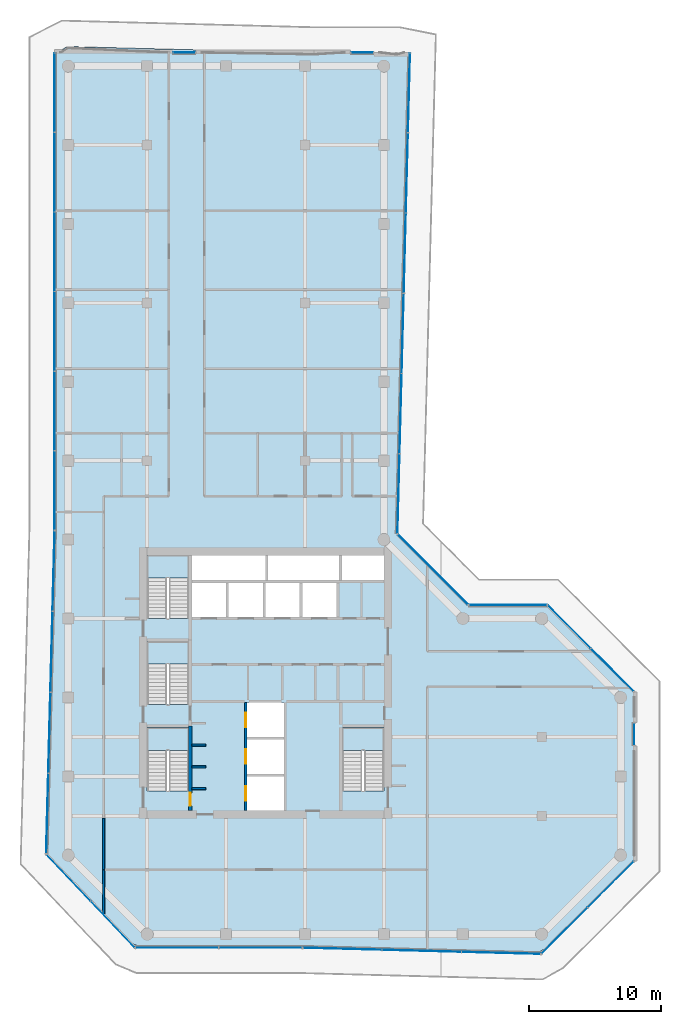
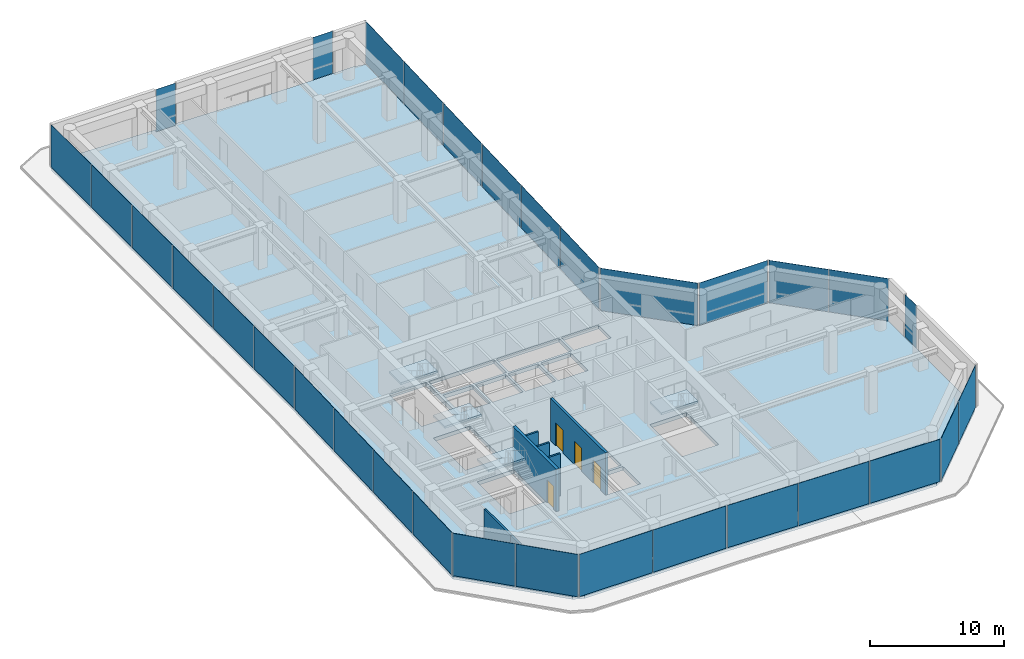
# One storey, part 14 of 19: 32 plates, 7 walls, 5 slabs, 4 doors, 4 openings, 17 elements without a shape of their own.
"""IFC4 building model written with IfcOpenShell, lengths in metres."""

from ifc_helpers import new_model, si_unit, direction, frame, frame_2d, origin, origin_2d, place, context, subcontext, project, spatial, polyline, rectangle, outline, extrude, material, layer, layer_set, type_object, element, fill, aggregate, save


model = new_model("IFC4")

# Units and contexts
model_context = context("Model", 3, precision=1e-05, world=origin(), true_north=direction((0.0, 1.0)))
body_context = subcontext(model_context, "Body", "Model", "MODEL_VIEW")
ifc_project = project(units=[si_unit("LENGTHUNIT", "METRE"), si_unit("AREAUNIT", "SQUARE_METRE"), si_unit("VOLUMEUNIT", "CUBIC_METRE"), si_unit("PLANEANGLEUNIT", "RADIAN"), si_unit("MASSUNIT", "GRAM", prefix="KILO")], contexts=[model_context])

# Site, building, storey
site_placement = place(None, origin())
site = spatial("IfcSite", under=ifc_project, at=site_placement, CompositionType="ELEMENT")
building_placement = place(site_placement, origin())
building = spatial("IfcBuilding", under=site, at=building_placement, Name="Welwitschia Terrace Campus", CompositionType="ELEMENT")
storey_placement = place(building_placement, frame((0.0, 0.0, 163.39990234375)))
storey = spatial("IfcBuildingStorey", under=building, at=storey_placement, Name="L36", CompositionType="ELEMENT", Elevation=163.39990234375)

# Curtain wall, plates
ifc_material_1 = material(Name="Bronze anodised aluminium", Category="aluminium")
ifc_layer_1 = layer(ifc_material_1, 0.1201171875)
ifc_layer_set_1 = layer_set([ifc_layer_1], Name="Bronze anodised aluminium")
curtain_wall_type = type_object("IfcCurtainWallType", Name="Curtain wall CW2 tower 6000", PredefinedType="NOTDEFINED", material=ifc_layer_set_1)
curtain_wall_1_placement = place(storey_placement, origin())
curtain_wall_1 = element("IfcCurtainWall", 1, at=curtain_wall_1_placement, inside=storey, type_object=curtain_wall_type, Name="CW L36.0.0", PredefinedType="NOTDEFINED")
ifc_material_2 = material(Name="Tinted bronze-grey glass", Category="glass")
ifc_layer_2 = layer(ifc_material_2, 0.028076171875)
ifc_layer_set_2 = layer_set([ifc_layer_2], Name="Tinted bronze-grey glass")
plate_type = type_object("IfcPlateType", Name="Glass panel 28 tinted", PredefinedType="CURTAIN_PANEL", material=ifc_layer_set_2)
plate_1_placement = place(storey_placement, frame((-1.030029296875, 59.97705078125, 0.0), z_axis=(0.0, 0.0, 1.0), x_axis=(0.0, -1.0, 0.0)))
plate_1 = element("IfcPlate", 2, at=plate_1_placement, type_object=plate_type, Name="Panel L36.0.0.0", PredefinedType="CURTAIN_PANEL", context=body_context, shape_type="SweptSolid", body=[
    extrude(rectangle(XDim=5.962890625, YDim=0.028076171875, at=origin_2d()), origin(), (0.0, 0.0, 1.0), 3.85009765625),
])
plate_2_placement = place(storey_placement, frame((-1.030029296875, 53.93896484375, 0.0), z_axis=(0.0, 0.0, 1.0), x_axis=(0.0, -1.0, 0.0)))
plate_2 = element("IfcPlate", 3, at=plate_2_placement, type_object=plate_type, Name="Panel L36.0.0.1", PredefinedType="CURTAIN_PANEL", context=body_context, shape_type="SweptSolid", body=[
    extrude(rectangle(XDim=5.992919921875, YDim=0.028076171875, at=origin_2d()), origin(), (0.0, 0.0, 1.0), 3.85009765625),
])
plate_3_placement = place(storey_placement, frame((-1.030029296875, 47.88623046875, 0.0), z_axis=(0.0, 0.0, 1.0), x_axis=(0.0, -1.0, 0.0)))
plate_3 = element("IfcPlate", 4, at=plate_3_placement, type_object=plate_type, Name="Panel L36.0.0.2", PredefinedType="CURTAIN_PANEL", context=body_context, shape_type="SweptSolid", body=[
    extrude(rectangle(XDim=5.992919921875, YDim=0.028076171875, at=origin_2d()), origin(), (0.0, 0.0, 1.0), 3.85009765625),
])
plate_4_placement = place(storey_placement, frame((-1.030029296875, 41.833251953125, 0.0), z_axis=(0.0, 0.0, 1.0), x_axis=(0.0, -1.0, 0.0)))
plate_4 = element("IfcPlate", 5, at=plate_4_placement, type_object=plate_type, Name="Panel L36.0.0.3", PredefinedType="CURTAIN_PANEL", context=body_context, shape_type="SweptSolid", body=[
    extrude(rectangle(XDim=5.992919921875, YDim=0.028076171875, at=origin_2d()), origin(), (0.0, 0.0, 1.0), 3.85009765625),
])
plate_5_placement = place(storey_placement, frame((-1.030029296875, 35.780517578125, 0.0), z_axis=(0.0, 0.0, 1.0), x_axis=(0.0, -1.0, 0.0)))
plate_5 = element("IfcPlate", 6, at=plate_5_placement, type_object=plate_type, Name="Panel L36.0.0.4", PredefinedType="CURTAIN_PANEL", context=body_context, shape_type="SweptSolid", body=[
    extrude(rectangle(XDim=5.992919921875, YDim=0.028076171875, at=origin_2d()), origin(), (0.0, 0.0, 1.0), 3.85009765625),
])
plate_6_placement = place(storey_placement, frame((-1.030029296875, 29.74267578125, 0.0), z_axis=(0.0, 0.0, 1.0), x_axis=(0.0, -1.0, 0.0)))
plate_6 = element("IfcPlate", 7, at=plate_6_placement, type_object=plate_type, Name="Panel L36.0.0.5", PredefinedType="CURTAIN_PANEL", context=body_context, shape_type="SweptSolid", body=[
    extrude(rectangle(XDim=5.962890625, YDim=0.028076171875, at=origin_2d()), origin(), (0.0, 0.0, 1.0), 3.85009765625),
])
aggregate(curtain_wall_1, [plate_1, plate_2, plate_3, plate_4, plate_5, plate_6])

curtain_wall_2_placement = place(storey_placement, origin())
curtain_wall_2 = element("IfcCurtainWall", 8, at=curtain_wall_2_placement, inside=storey, type_object=curtain_wall_type, Name="CW L36.1.0", PredefinedType="NOTDEFINED")
plate_7_placement = place(storey_placement, frame((-1.111083984375, 23.609130859375, 0.0), z_axis=(0.0, 0.0, 1.0), x_axis=(-0.026176948308, -0.999657324976, 0.0)))
plate_7 = element("IfcPlate", 9, at=plate_7_placement, type_object=plate_type, Name="Panel L36.1.0.0", PredefinedType="CURTAIN_PANEL", context=body_context, shape_type="SweptSolid", body=[
    extrude(rectangle(XDim=6.06591796875, YDim=0.028076171875, at=origin_2d()), origin(), (0.0, 0.0, 1.0), 3.85009765625),
])
plate_8_placement = place(storey_placement, frame((-1.271728515625, 17.47021484375, 0.0), z_axis=(0.0, 0.0, 1.0), x_axis=(-0.026176948308, -0.999657324976, 0.0)))
plate_8 = element("IfcPlate", 10, at=plate_8_placement, type_object=plate_type, Name="Panel L36.1.0.1", PredefinedType="CURTAIN_PANEL", context=body_context, shape_type="SweptSolid", body=[
    extrude(rectangle(XDim=6.095947265625, YDim=0.028076171875, at=origin_2d()), origin(), (0.0, 0.0, 1.0), 3.85009765625),
])
plate_9_placement = place(storey_placement, frame((-1.432861328125, 11.31640625, 0.0), z_axis=(0.0, 0.0, 1.0), x_axis=(-0.026176948308, -0.999657324976, 0.0)))
plate_9 = element("IfcPlate", 11, at=plate_9_placement, type_object=plate_type, Name="Panel L36.1.0.2", PredefinedType="CURTAIN_PANEL", context=body_context, shape_type="SweptSolid", body=[
    extrude(rectangle(XDim=6.095947265625, YDim=0.028076171875, at=origin_2d()), origin(), (0.0, 0.0, 1.0), 3.85009765625),
])
plate_10_placement = place(storey_placement, frame((-1.593505859375, 5.177490234375, 0.0), z_axis=(0.0, 0.0, 1.0), x_axis=(-0.026176948308, -0.999657324976, 0.0)))
plate_10 = element("IfcPlate", 12, at=plate_10_placement, type_object=plate_type, Name="Panel L36.1.0.3", PredefinedType="CURTAIN_PANEL", context=body_context, shape_type="SweptSolid", body=[
    extrude(rectangle(XDim=6.06591796875, YDim=0.028076171875, at=origin_2d()), origin(), (0.0, 0.0, 1.0), 3.85009765625),
])
aggregate(curtain_wall_2, [plate_7, plate_8, plate_9, plate_10])

curtain_wall_3_placement = place(storey_placement, origin())
curtain_wall_3 = element("IfcCurtainWall", 13, at=curtain_wall_3_placement, inside=storey, type_object=curtain_wall_type, Name="CW L36.2.0", PredefinedType="NOTDEFINED")
plate_11_placement = place(storey_placement, frame((0.02392578125, 0.2958984375, 0.0), z_axis=(0.0, 0.0, 1.0), x_axis=(0.688354575694, -0.725374371012, 0.0)))
plate_11 = element("IfcPlate", 14, at=plate_11_placement, type_object=plate_type, Name="Panel L36.2.0.0", PredefinedType="CURTAIN_PANEL", context=body_context, shape_type="SweptSolid", body=[
    extrude(rectangle(XDim=4.814697265625, YDim=0.028076171875, at=origin_2d()), origin(), (0.0, 0.0, 1.0), 3.85009765625),
])
plate_12_placement = place(storey_placement, frame((3.37939453125, -3.240234375, 0.0), z_axis=(0.0, 0.0, 1.0), x_axis=(0.688354575694, -0.725374371012, 0.0)))
plate_12 = element("IfcPlate", 15, at=plate_12_placement, type_object=plate_type, Name="Panel L36.2.0.1", PredefinedType="CURTAIN_PANEL", context=body_context, shape_type="SweptSolid", body=[
    extrude(rectangle(XDim=4.814697265625, YDim=0.028076171875, at=origin_2d()), origin(), (0.0, 0.0, 1.0), 3.85009765625),
])
aggregate(curtain_wall_3, [plate_11, plate_12])

curtain_wall_4_placement = place(storey_placement, origin())
curtain_wall_4 = element("IfcCurtainWall", 16, at=curtain_wall_4_placement, inside=storey, type_object=curtain_wall_type, Name="CW L36.3.0", PredefinedType="NOTDEFINED")
plate_13_placement = place(storey_placement, frame((8.27392578125, -5.030029296875, 0.0), z_axis=(0.0, 0.0, 1.0), x_axis=(1.0, 0.0, 0.0)))
plate_13 = element("IfcPlate", 17, at=plate_13_placement, type_object=plate_type, Name="Panel L36.3.0.0", PredefinedType="CURTAIN_PANEL", context=body_context, shape_type="SweptSolid", body=[
    extrude(rectangle(XDim=6.27197265625, YDim=0.028076171875, at=origin_2d()), origin(), (0.0, 0.0, 1.0), 3.85009765625),
])
plate_14_placement = place(storey_placement, frame((14.60595703125, -5.030029296875, 0.0), z_axis=(0.0, 0.0, 1.0), x_axis=(1.0, 0.0, 0.0)))
plate_14 = element("IfcPlate", 18, at=plate_14_placement, type_object=plate_type, Name="Panel L36.3.0.1", PredefinedType="CURTAIN_PANEL", context=body_context, shape_type="SweptSolid", body=[
    extrude(rectangle(XDim=6.27197265625, YDim=0.028076171875, at=origin_2d()), origin(), (0.0, 0.0, 1.0), 3.85009765625),
])
aggregate(curtain_wall_4, [plate_13, plate_14])

curtain_wall_5_placement = place(storey_placement, origin())
curtain_wall_5 = element("IfcCurtainWall", 19, at=curtain_wall_5_placement, inside=storey, type_object=curtain_wall_type, Name="CW L36.4.0", PredefinedType="NOTDEFINED")
plate_15_placement = place(storey_placement, frame((20.841796875, -5.109619140625, 0.0), z_axis=(0.0, 0.0, 1.0), x_axis=(0.999657324976, -0.026176948308, 0.0)))
plate_15 = element("IfcPlate", 20, at=plate_15_placement, type_object=plate_type, Name="Panel L36.4.0.0", PredefinedType="CURTAIN_PANEL", context=body_context, shape_type="SweptSolid", body=[
    extrude(rectangle(XDim=5.9619140625, YDim=0.028076171875, at=origin_2d()), origin(), (0.0, 0.0, 1.0), 3.85009765625),
])
plate_16_placement = place(storey_placement, frame((26.876708984375, -5.267578125, 0.0), z_axis=(0.0, 0.0, 1.0), x_axis=(0.999657324976, -0.026176948308, 0.0)))
plate_16 = element("IfcPlate", 21, at=plate_16_placement, type_object=plate_type, Name="Panel L36.4.0.1", PredefinedType="CURTAIN_PANEL", context=body_context, shape_type="SweptSolid", body=[
    extrude(rectangle(XDim=5.991943359375, YDim=0.028076171875, at=origin_2d()), origin(), (0.0, 0.0, 1.0), 3.85009765625),
])
plate_17_placement = place(storey_placement, frame((32.911376953125, -5.425537109375, 0.0), z_axis=(0.0, 0.0, 1.0), x_axis=(0.999657324976, -0.026176948308, 0.0)))
plate_17 = element("IfcPlate", 22, at=plate_17_placement, type_object=plate_type, Name="Panel L36.4.0.2", PredefinedType="CURTAIN_PANEL", context=body_context, shape_type="SweptSolid", body=[
    extrude(rectangle(XDim=5.9619140625, YDim=0.028076171875, at=origin_2d()), origin(), (0.0, 0.0, 1.0), 3.85009765625),
])
aggregate(curtain_wall_5, [plate_15, plate_16, plate_17])

curtain_wall_6_placement = place(storey_placement, origin())
curtain_wall_6 = element("IfcCurtainWall", 23, at=curtain_wall_6_placement, inside=storey, type_object=curtain_wall_type, Name="CW L36.5.0", PredefinedType="NOTDEFINED")
plate_18_placement = place(storey_placement, frame((37.731689453125, -3.72509765625, 0.0), z_axis=(0.0, 0.0, 1.0), x_axis=(0.707106781187, 0.707106781187, 0.0)))
plate_18 = element("IfcPlate", 24, at=plate_18_placement, type_object=plate_type, Name="Panel L36.5.0.0", PredefinedType="CURTAIN_PANEL", context=body_context, shape_type="SweptSolid", body=[
    extrude(rectangle(XDim=4.915283203125, YDim=0.028076171875, at=origin_2d()), origin(), (0.0, 0.0, 1.0), 3.85009765625),
])
plate_19_placement = place(storey_placement, frame((41.249755859375, -0.206787109375, 0.0), z_axis=(0.0, 0.0, 1.0), x_axis=(0.707106781187, 0.707106781187, 0.0)))
plate_19 = element("IfcPlate", 25, at=plate_19_placement, type_object=plate_type, Name="Panel L36.5.0.1", PredefinedType="CURTAIN_PANEL", context=body_context, shape_type="SweptSolid", body=[
    extrude(rectangle(XDim=4.915283203125, YDim=0.028076171875, at=origin_2d()), origin(), (0.0, 0.0, 1.0), 3.85009765625),
])
aggregate(curtain_wall_6, [plate_18, plate_19])

# Curtain wall, plate
curtain_wall_7_placement = place(storey_placement, origin())
curtain_wall_7 = element("IfcCurtainWall", 26, at=curtain_wall_7_placement, inside=storey, type_object=curtain_wall_type, Name="CW L36.6.S0", PredefinedType="NOTDEFINED")
plate_20_placement = place(storey_placement, frame((43.030029296875, 11.21337890625, 0.0), z_axis=(0.0, 0.0, 1.0), x_axis=(0.0, 1.0, 0.0)))
plate_20 = element("IfcPlate", 27, at=plate_20_placement, type_object=plate_type, Name="Panel L36.6.S0.0", PredefinedType="CURTAIN_PANEL", context=body_context, shape_type="SweptSolid", body=[
    extrude(rectangle(XDim=1.679931640625, YDim=0.028076171875, at=origin_2d()), origin(), (0.0, 0.0, 1.0), 3.85009765625),
])
aggregate(curtain_wall_7, [plate_20])

# Curtain wall, plates
curtain_wall_8_placement = place(storey_placement, origin())
curtain_wall_8 = element("IfcCurtainWall", 28, at=curtain_wall_8_placement, inside=storey, type_object=curtain_wall_type, Name="CW L36.7.0", PredefinedType="NOTDEFINED")
plate_21_placement = place(storey_placement, frame((41.36865234375, 16.088134765625, 0.0), z_axis=(0.0, 0.0, 1.0), x_axis=(-0.707106781187, 0.707106781187, 0.0)))
plate_21 = element("IfcPlate", 29, at=plate_21_placement, type_object=plate_type, Name="Panel L36.7.0.0", PredefinedType="CURTAIN_PANEL", context=body_context, shape_type="SweptSolid", body=[
    extrude(rectangle(XDim=4.579345703125, YDim=0.028076171875, at=origin_2d()), origin(), (0.0, 0.0, 1.0), 3.85009765625),
])
plate_22_placement = place(storey_placement, frame((38.088134765625, 19.36865234375, 0.0), z_axis=(0.0, 0.0, 1.0), x_axis=(-0.707106781187, 0.707106781187, 0.0)))
plate_22 = element("IfcPlate", 30, at=plate_22_placement, type_object=plate_type, Name="Panel L36.7.0.1", PredefinedType="CURTAIN_PANEL", context=body_context, shape_type="SweptSolid", body=[
    extrude(rectangle(XDim=4.579345703125, YDim=0.028076171875, at=origin_2d()), origin(), (0.0, 0.0, 1.0), 3.85009765625),
])
aggregate(curtain_wall_8, [plate_21, plate_22])

# Curtain wall, plate
curtain_wall_9_placement = place(storey_placement, origin())
curtain_wall_9 = element("IfcCurtainWall", 31, at=curtain_wall_9_placement, inside=storey, type_object=curtain_wall_type, Name="CW L36.8.0", PredefinedType="NOTDEFINED")
plate_23_placement = place(storey_placement, frame((33.4267578125, 21.030029296875, 0.0), z_axis=(0.0, 0.0, 1.0), x_axis=(-1.0, 0.0, 0.0)))
plate_23 = element("IfcPlate", 32, at=plate_23_placement, type_object=plate_type, Name="Panel L36.8.0.0", PredefinedType="CURTAIN_PANEL", context=body_context, shape_type="SweptSolid", body=[
    extrude(rectangle(XDim=5.8798828125, YDim=0.028076171875, at=origin_2d()), origin(), (0.0, 0.0, 1.0), 3.85009765625),
])
aggregate(curtain_wall_9, [plate_23])

curtain_wall_10_placement = place(storey_placement, origin())
curtain_wall_10 = element("IfcCurtainWall", 33, at=curtain_wall_10_placement, inside=storey, type_object=curtain_wall_type, Name="CW L36.9.0", PredefinedType="NOTDEFINED")
plate_24_placement = place(storey_placement, frame((27.729248046875, 23.7275390625, 0.0), z_axis=(0.0, 0.0, 1.0), x_axis=(-0.707106781187, 0.707106781187, 0.0)))
plate_24 = element("IfcPlate", 34, at=plate_24_placement, type_object=plate_type, Name="Panel L36.9.0.0", PredefinedType="CURTAIN_PANEL", context=body_context, shape_type="SweptSolid", body=[
    extrude(rectangle(XDim=7.509521484375, YDim=0.028076171875, at=origin_2d()), origin(), (0.0, 0.0, 1.0), 3.85009765625),
])
aggregate(curtain_wall_10, [plate_24])

# Curtain wall, plates
curtain_wall_11_placement = place(storey_placement, origin())
curtain_wall_11 = element("IfcCurtainWall", 35, at=curtain_wall_11_placement, inside=storey, type_object=curtain_wall_type, Name="CW L36.10.0", PredefinedType="NOTDEFINED")
plate_25_placement = place(storey_placement, frame((25.112060546875, 29.490234375, 0.0), z_axis=(0.0, 0.0, 1.0), x_axis=(0.026176948308, 0.999657324976, 0.0)))
plate_25 = element("IfcPlate", 36, at=plate_25_placement, type_object=plate_type, Name="Panel L36.10.0.0", PredefinedType="CURTAIN_PANEL", context=body_context, shape_type="SweptSolid", body=[
    extrude(rectangle(XDim=6.012939453125, YDim=0.028076171875, at=origin_2d()), origin(), (0.0, 0.0, 1.0), 3.85009765625),
])
plate_26_placement = place(storey_placement, frame((25.271240234375, 35.576171875, 0.0), z_axis=(0.0, 0.0, 1.0), x_axis=(0.026176948308, 0.999657324976, 0.0)))
plate_26 = element("IfcPlate", 37, at=plate_26_placement, type_object=plate_type, Name="Panel L36.10.0.1", PredefinedType="CURTAIN_PANEL", context=body_context, shape_type="SweptSolid", body=[
    extrude(rectangle(XDim=6.04296875, YDim=0.028076171875, at=origin_2d()), origin(), (0.0, 0.0, 1.0), 3.85009765625),
])
plate_27_placement = place(storey_placement, frame((25.43115234375, 41.677001953125, 0.0), z_axis=(0.0, 0.0, 1.0), x_axis=(0.026176948308, 0.999657324976, 0.0)))
plate_27 = element("IfcPlate", 38, at=plate_27_placement, type_object=plate_type, Name="Panel L36.10.0.2", PredefinedType="CURTAIN_PANEL", context=body_context, shape_type="SweptSolid", body=[
    extrude(rectangle(XDim=6.04296875, YDim=0.028076171875, at=origin_2d()), origin(), (0.0, 0.0, 1.0), 3.85009765625),
])
plate_28_placement = place(storey_placement, frame((25.5908203125, 47.77783203125, 0.0), z_axis=(0.0, 0.0, 1.0), x_axis=(0.026176948308, 0.999657324976, 0.0)))
plate_28 = element("IfcPlate", 39, at=plate_28_placement, type_object=plate_type, Name="Panel L36.10.0.3", PredefinedType="CURTAIN_PANEL", context=body_context, shape_type="SweptSolid", body=[
    extrude(rectangle(XDim=6.04296875, YDim=0.028076171875, at=origin_2d()), origin(), (0.0, 0.0, 1.0), 3.85009765625),
])
plate_29_placement = place(storey_placement, frame((25.75048828125, 53.878662109375, 0.0), z_axis=(0.0, 0.0, 1.0), x_axis=(0.026176948308, 0.999657324976, 0.0)))
plate_29 = element("IfcPlate", 40, at=plate_29_placement, type_object=plate_type, Name="Panel L36.10.0.4", PredefinedType="CURTAIN_PANEL", context=body_context, shape_type="SweptSolid", body=[
    extrude(rectangle(XDim=6.04296875, YDim=0.028076171875, at=origin_2d()), origin(), (0.0, 0.0, 1.0), 3.85009765625),
])
plate_30_placement = place(storey_placement, frame((25.909912109375, 59.964599609375, 0.0), z_axis=(0.0, 0.0, 1.0), x_axis=(0.026176948308, 0.999657324976, 0.0)))
plate_30 = element("IfcPlate", 41, at=plate_30_placement, type_object=plate_type, Name="Panel L36.10.0.5", PredefinedType="CURTAIN_PANEL", context=body_context, shape_type="SweptSolid", body=[
    extrude(rectangle(XDim=6.012939453125, YDim=0.028076171875, at=origin_2d()), origin(), (0.0, 0.0, 1.0), 3.85009765625),
])
aggregate(curtain_wall_11, [plate_25, plate_26, plate_27, plate_28, plate_29, plate_30])

# Curtain wall, plate
curtain_wall_12_placement = place(storey_placement, origin())
curtain_wall_12 = element("IfcCurtainWall", 42, at=curtain_wall_12_placement, inside=storey, type_object=curtain_wall_type, Name="CW L36.11.S0", PredefinedType="NOTDEFINED")
plate_31_placement = place(storey_placement, frame((22.341552734375, 63.030029296875, 0.0), z_axis=(0.0, 0.0, 1.0), x_axis=(-1.0, 0.0, 0.0)))
plate_31 = element("IfcPlate", 43, at=plate_31_placement, type_object=plate_type, Name="Panel L36.11.S0.0", PredefinedType="CURTAIN_PANEL", context=body_context, shape_type="SweptSolid", body=[
    extrude(rectangle(XDim=1.679931640625, YDim=0.028076171875, at=origin_2d()), origin(), (0.0, 0.0, 1.0), 3.85009765625),
])
aggregate(curtain_wall_12, [plate_31])

curtain_wall_13_placement = place(storey_placement, origin())
curtain_wall_13 = element("IfcCurtainWall", 44, at=curtain_wall_13_placement, inside=storey, type_object=curtain_wall_type, Name="CW L36.12.S0", PredefinedType="NOTDEFINED")
plate_32_placement = place(storey_placement, frame((8.83154296875, 63.024169921875, 0.0), z_axis=(0.0, 0.0, 1.0), x_axis=(-0.999999826779, -0.000588593302, 0.0)))
plate_32 = element("IfcPlate", 45, at=plate_32_placement, type_object=plate_type, Name="Panel L36.12.S0.0", PredefinedType="CURTAIN_PANEL", context=body_context, shape_type="SweptSolid", body=[
    extrude(rectangle(XDim=1.679931640625, YDim=0.028076171875, at=origin_2d()), origin(), (0.0, 0.0, 1.0), 3.85009765625),
])
aggregate(curtain_wall_13, [plate_32])

# Stair, slab
ifc_material_3 = material(Name="Concrete C40/50", Category="concrete")
stair_type = type_object("IfcStairType", Name="Stair 24R 175 W1500", PredefinedType="HALF_TURN_STAIR", material=ifc_material_3)
stair_1_placement = place(storey_placement, origin())
stair_1 = element("IfcStair", 46, at=stair_1_placement, inside=storey, type_object=stair_type, Name="L36 Exit stair S1", PredefinedType="HALF_TURN_STAIR")
ifc_material_4 = material(Name="Concrete C40/50", Category="concrete")
ifc_layer_3 = layer(ifc_material_4, 0.199951171875)
ifc_layer_set_3 = layer_set([ifc_layer_3], Name="Concrete C40/50")
slab_type_1 = type_object("IfcSlabType", Name="Stair landing RC", PredefinedType="LANDING", material=ifc_layer_set_3)
slab_1_placement = place(storey_placement, frame((0.0, 0.0, 1.900146484375)))
slab_1 = element("IfcSlab", 47, at=slab_1_placement, type_object=slab_type_1, Name="S1 landing 1", PredefinedType="LANDING", context=body_context, shape_type="SweptSolid", body=[
    extrude(outline(polyline([(9.14990234375, 9.97998046875), (9.14990234375, 11.699951171875), (6.0, 11.699951171875), (6.0, 9.97998046875), (9.14990234375, 9.97998046875)])), origin(), (0.0, 0.0, 1.0), 0.199951171875),
])
aggregate(stair_1, [slab_1])

stair_2_placement = place(storey_placement, origin())
stair_2 = element("IfcStair", 48, at=stair_2_placement, inside=storey, type_object=stair_type, Name="L36 Exit stair S3", PredefinedType="HALF_TURN_STAIR")
slab_2_placement = place(storey_placement, frame((0.0, 0.0, 1.900146484375)))
slab_2 = element("IfcSlab", 49, at=slab_2_placement, type_object=slab_type_1, Name="S3 landing 1", PredefinedType="LANDING", context=body_context, shape_type="SweptSolid", body=[
    extrude(outline(polyline([(9.14990234375, 16.530029296875), (9.14990234375, 18.25), (6.0, 18.25), (6.0, 16.530029296875), (9.14990234375, 16.530029296875)])), origin(), (0.0, 0.0, 1.0), 0.199951171875),
])
aggregate(stair_2, [slab_2])

stair_3_placement = place(storey_placement, origin())
stair_3 = element("IfcStair", 50, at=stair_3_placement, inside=storey, type_object=stair_type, Name="L36 Exit stair S4", PredefinedType="HALF_TURN_STAIR")
slab_3_placement = place(storey_placement, frame((0.0, 0.0, 1.900146484375)))
slab_3 = element("IfcSlab", 51, at=slab_3_placement, type_object=slab_type_1, Name="S4 landing 1", PredefinedType="LANDING", context=body_context, shape_type="SweptSolid", body=[
    extrude(outline(polyline([(9.14990234375, 23.080078125), (9.14990234375, 24.800048828125), (6.0, 24.800048828125), (6.0, 23.080078125), (9.14990234375, 23.080078125)])), origin(), (0.0, 0.0, 1.0), 0.199951171875),
])
aggregate(stair_3, [slab_3])

stair_4_placement = place(storey_placement, origin())
stair_4 = element("IfcStair", 52, at=stair_4_placement, inside=storey, type_object=stair_type, Name="L36 Exit stair S2", PredefinedType="HALF_TURN_STAIR")
slab_4_placement = place(storey_placement, frame((0.0, 0.0, 1.900146484375)))
slab_4 = element("IfcSlab", 53, at=slab_4_placement, type_object=slab_type_1, Name="S2 landing 1", PredefinedType="LANDING", context=body_context, shape_type="SweptSolid", body=[
    extrude(outline(polyline([(24.0, 9.97998046875), (24.0, 11.699951171875), (20.85009765625, 11.699951171875), (20.85009765625, 9.97998046875), (24.0, 9.97998046875)])), origin(), (0.0, 0.0, 1.0), 0.199951171875),
])
aggregate(stair_4, [slab_4])

# Slab
ifc_material_5 = material(Name="Concrete C40/50", Category="concrete")
ifc_layer_4 = layer(ifc_material_5, 0.35009765625)
ifc_layer_set_4 = layer_set([ifc_layer_4], Name="Concrete C40/50")
slab_type_2 = type_object("IfcSlabType", Name="Suspended floor slab 350", PredefinedType="FLOOR", material=ifc_layer_set_4)
slab_5_placement = place(storey_placement, frame((0.0, 0.0, -0.349853515625)))
element("IfcSlab", 54, at=slab_5_placement, inside=storey, type_object=slab_type_2, Name="Floor slab L36", PredefinedType="FLOOR", context=body_context, shape_type="SweptSolid", body=[
    extrude(outline(polyline([(-0.03662109375, 63.490478515625), (18.692626953125, 63.0), (25.0, 63.0), (25.954345703125, 62.809814453125), (25.00146484375, 26.412841796875), (30.414306640625, 21.0), (36.414306640625, 21.0), (43.0, 14.414306640625), (43.0, 1.585693359375), (36.414306640625, -5.0), (35.584716796875, -5.465576171875), (17.802490234375, -5.0), (5.585693359375, -5.0), (4.766845703125, -4.65869140625), (-1.644287109375, 2.09716796875), (-1.0, 26.70068359375), (-1.0, 63.0), (-0.03662109375, 63.490478515625)]), holes=[polyline([(13.60009765625, 8.0), (13.60009765625, 5.39990234375), (16.39990234375, 5.39990234375), (16.39990234375, 8.0), (13.60009765625, 8.0)]), polyline([(9.14990234375, 11.699951171875), (6.0, 11.699951171875), (6.0, 6.902099609375), (9.14990234375, 6.902099609375), (9.14990234375, 11.699951171875)]), polyline([(9.14990234375, 18.25), (6.0, 18.25), (6.0, 13.451904296875), (9.14990234375, 13.451904296875), (9.14990234375, 18.25)]), polyline([(12.0, 22.699951171875), (9.39990234375, 22.699951171875), (9.39990234375, 20.10009765625), (12.0, 20.10009765625), (12.0, 22.699951171875)]), polyline([(14.800048828125, 22.699951171875), (12.199951171875, 22.699951171875), (12.199951171875, 20.10009765625), (14.800048828125, 20.10009765625), (14.800048828125, 22.699951171875)]), polyline([(9.14990234375, 24.800048828125), (6.0, 24.800048828125), (6.0, 20.001953125), (9.14990234375, 20.001953125), (9.14990234375, 24.800048828125)]), polyline([(15.0, 24.800048828125), (9.39990234375, 24.800048828125), (9.39990234375, 22.89990234375), (15.0, 22.89990234375), (15.0, 24.800048828125)]), polyline([(20.85009765625, 11.699951171875), (20.85009765625, 6.902099609375), (24.0, 6.902099609375), (24.0, 11.699951171875), (20.85009765625, 11.699951171875)]), polyline([(16.39990234375, 10.800048828125), (13.60009765625, 10.800048828125), (13.60009765625, 8.199951171875), (16.39990234375, 8.199951171875), (16.39990234375, 10.800048828125)]), polyline([(16.39990234375, 13.60009765625), (13.60009765625, 13.60009765625), (13.60009765625, 11.0), (16.39990234375, 11.0), (16.39990234375, 13.60009765625)]), polyline([(17.60009765625, 22.699951171875), (15.0, 22.699951171875), (15.0, 20.10009765625), (17.60009765625, 20.10009765625), (17.60009765625, 22.699951171875)]), polyline([(20.39990234375, 22.699951171875), (17.800048828125, 22.699951171875), (17.800048828125, 20.10009765625), (20.39990234375, 20.10009765625), (20.39990234375, 22.699951171875)]), polyline([(20.60009765625, 24.800048828125), (15.199951171875, 24.800048828125), (15.199951171875, 22.89990234375), (20.60009765625, 22.89990234375), (20.60009765625, 24.800048828125)]), polyline([(24.0, 24.800048828125), (20.800048828125, 24.800048828125), (20.800048828125, 22.89990234375), (24.0, 22.89990234375), (24.0, 24.800048828125)])]), origin(), (0.0, 0.0, 1.0), 0.349853515625),
])

# Walls
ifc_material_6 = material(Name="Concrete C50/60", Category="concrete")
ifc_layer_5 = layer(ifc_material_6, 0.14990234375)
ifc_layer_set_5 = layer_set([ifc_layer_5], Name="Concrete C50/60")
wall_type_1 = type_object("IfcWallType", Name="Core wall 150 Concrete C50/60", PredefinedType="SHEAR", material=ifc_layer_set_5)
for number, where, z_axis, x_axis, name in (
    (55, (9.39990234375, 7.074951171875, 0.0), (0.0, 0.0, 1.0), (1.0, 0.0, 0.0), "Core wall"),
    (56, (9.39990234375, 8.72509765625, 0.0), (0.0, 0.0, 1.0), (1.0, 0.0, 0.0), "Core wall"),
    (57, (9.39990234375, 10.375, 0.0), (0.0, 0.0, 1.0), (1.0, 0.0, 0.0), "Core wall"),
):
    element("IfcWall", number, at=place(storey_placement, frame(where, z_axis=z_axis, x_axis=x_axis)), inside=storey, type_object=wall_type_1, Name=name, PredefinedType="SHEAR", context=body_context, shape_type="SweptSolid", body=[
        extrude(rectangle(XDim=1.050048828125, YDim=0.14990234375, at=frame_2d((0.52490234375, 0.0))), origin(), (0.0, 0.0, 1.0), 3.85009765625),
    ])

# Wall, openings, doors
ifc_material_7 = material(Name="Concrete C50/60", Category="concrete")
ifc_layer_6 = layer(ifc_material_7, 0.199951171875)
ifc_layer_set_6 = layer_set([ifc_layer_6], Name="Concrete C50/60")
wall_type_2 = type_object("IfcWallType", Name="Core wall 200 Concrete C50/60", PredefinedType="SHEAR", material=ifc_layer_set_6)
wall_1_placement = place(storey_placement, frame((13.5, 5.39990234375, 0.0), z_axis=(0.0, 0.0, 1.0), x_axis=(0.0, 1.0, 0.0)))
wall_1 = element("IfcWall", 58, at=wall_1_placement, inside=storey, type_object=wall_type_2, Name="Core wall", PredefinedType="SHEAR", context=body_context, shape_type="SweptSolid", body=[
    extrude(rectangle(XDim=8.2001953125, YDim=0.199951171875, at=frame_2d((4.10009765625, 0.0))), origin(), (0.0, 0.0, 1.0), 3.85009765625),
])
opening_1_placement = place(wall_1_placement, frame((0.75, 0.0, 0.0)))
opening_1 = element("IfcOpeningElement", 59, at=opening_1_placement, cuts=wall_1, Name="Opening LD", PredefinedType="OPENING", context=body_context, shape_type="SweptSolid", body=[
    extrude(rectangle(XDim=1.10009765625, YDim=2.10009765625, at=frame_2d((0.550048828125, 1.050048828125))), frame((0.0, 0.10986328125, 0.0), z_axis=(0.0, -1.0, 0.0), x_axis=(1.0, 0.0, 0.0)), (0.0, 0.0, 1.0), 0.219970703125),
])
opening_2_placement = place(wall_1_placement, frame((3.550048828125, 0.0, 0.0)))
opening_2 = element("IfcOpeningElement", 60, at=opening_2_placement, cuts=wall_1, Name="Opening LD", PredefinedType="OPENING", context=body_context, shape_type="SweptSolid", body=[
    extrude(rectangle(XDim=1.10009765625, YDim=2.10009765625, at=frame_2d((0.550048828125, 1.050048828125))), frame((0.0, 0.10986328125, 0.0), z_axis=(0.0, -1.0, 0.0), x_axis=(1.0, 0.0, 0.0)), (0.0, 0.0, 1.0), 0.219970703125),
])
opening_3_placement = place(wall_1_placement, frame((6.35009765625, 0.0, 0.0)))
opening_3 = element("IfcOpeningElement", 61, at=opening_3_placement, cuts=wall_1, Name="Opening LD", PredefinedType="OPENING", context=body_context, shape_type="SweptSolid", body=[
    extrude(rectangle(XDim=1.10009765625, YDim=2.10009765625, at=frame_2d((0.550048828125, 1.050048828125))), frame((0.0, 0.10986328125, 0.0), z_axis=(0.0, -1.0, 0.0), x_axis=(1.0, 0.0, 0.0)), (0.0, 0.0, 1.0), 0.219970703125),
])
ifc_material_8 = material(Name="Stainless steel 304", Category="steel")
door_type_1 = type_object("IfcDoorType", Name="Lift landing door", OperationType="DOUBLE_DOOR_SLIDING", PredefinedType="DOOR", material=ifc_material_8)
door_1_placement = place(opening_1_placement, origin())
door_1 = element("IfcDoor", 62, at=door_1_placement, inside=storey, type_object=door_type_1, Name="Landing door FF1", OperationType="DOUBLE_DOOR_SLIDING", OverallHeight=2.10009765625, OverallWidth=1.10009765625, PredefinedType="DOOR", context=body_context, shape_type="SweptSolid", body=[
    extrude(rectangle(XDim=1.10009765625, YDim=2.10009765625, at=frame_2d((0.550048828125, 1.050048828125))), frame((0.0, 0.02490234375, 0.0), z_axis=(0.0, -1.0, 0.0), x_axis=(1.0, 0.0, 0.0)), (0.0, 0.0, 1.0), 0.050048828125),
])
fill(opening_1, door_1)
door_2_placement = place(opening_2_placement, origin())
door_2 = element("IfcDoor", 63, at=door_2_placement, inside=storey, type_object=door_type_1, Name="Landing door FF2", OperationType="DOUBLE_DOOR_SLIDING", OverallHeight=2.10009765625, OverallWidth=1.10009765625, PredefinedType="DOOR", context=body_context, shape_type="SweptSolid", body=[
    extrude(rectangle(XDim=1.10009765625, YDim=2.10009765625, at=frame_2d((0.550048828125, 1.050048828125))), frame((0.0, 0.02490234375, 0.0), z_axis=(0.0, -1.0, 0.0), x_axis=(1.0, 0.0, 0.0)), (0.0, 0.0, 1.0), 0.050048828125),
])
fill(opening_2, door_2)
door_3_placement = place(opening_3_placement, origin())
door_3 = element("IfcDoor", 64, at=door_3_placement, inside=storey, type_object=door_type_1, Name="Landing door SV1", OperationType="DOUBLE_DOOR_SLIDING", OverallHeight=2.10009765625, OverallWidth=1.10009765625, PredefinedType="DOOR", context=body_context, shape_type="SweptSolid", body=[
    extrude(rectangle(XDim=1.10009765625, YDim=2.10009765625, at=frame_2d((0.550048828125, 1.050048828125))), frame((0.0, 0.02490234375, 0.0), z_axis=(0.0, -1.0, 0.0), x_axis=(1.0, 0.0, 0.0)), (0.0, 0.0, 1.0), 0.050048828125),
])
fill(opening_3, door_3)

# Wall, opening, door
ifc_material_9 = material(Name="Concrete C50/60", Category="concrete")
ifc_layer_7 = layer(ifc_material_9, 0.25)
ifc_layer_set_7 = layer_set([ifc_layer_7], Name="Concrete C50/60")
wall_type_3 = type_object("IfcWallType", Name="Core wall 250 Concrete C50/60", PredefinedType="SHEAR", material=ifc_layer_set_7)
wall_2_placement = place(storey_placement, frame((9.27490234375, 11.824951171875, 0.0), z_axis=(0.0, 0.0, 1.0), x_axis=(0.0, -1.0, 0.0)))
wall_2 = element("IfcWall", 65, at=wall_2_placement, inside=storey, type_object=wall_type_3, Name="Core wall", PredefinedType="SHEAR", context=body_context, shape_type="SweptSolid", body=[
    extrude(rectangle(XDim=6.425048828125, YDim=0.25, at=frame_2d((3.21240234375, 0.0))), origin(), (0.0, 0.0, 1.0), 3.85009765625),
])
opening_4_placement = place(wall_2_placement, frame((5.074951171875, 0.0, 0.0)))
opening_4 = element("IfcOpeningElement", 66, at=opening_4_placement, cuts=wall_2, Name="Opening DS10", PredefinedType="OPENING", context=body_context, shape_type="SweptSolid", body=[
    extrude(rectangle(XDim=1.0, YDim=2.10009765625, at=frame_2d((0.5, 1.050048828125))), frame((0.0, 0.135009765625, 0.0), z_axis=(0.0, -1.0, 0.0), x_axis=(1.0, 0.0, 0.0)), (0.0, 0.0, 1.0), 0.27001953125),
])
ifc_material_10 = material(Name="Steel S275", Category="steel")
door_type_2 = type_object("IfcDoorType", Name="Core door DS10", OperationType="SINGLE_SWING_LEFT", PredefinedType="DOOR", material=ifc_material_10)
door_4_placement = place(opening_4_placement, origin())
door_4 = element("IfcDoor", 67, at=door_4_placement, inside=storey, type_object=door_type_2, Name="Door S1-FL", OperationType="SINGLE_SWING_RIGHT", OverallHeight=2.10009765625, OverallWidth=1.0, PredefinedType="DOOR", context=body_context, shape_type="SweptSolid", body=[
    extrude(rectangle(XDim=1.0, YDim=2.10009765625, at=frame_2d((0.5, 1.050048828125))), frame((0.0, 0.02490234375, 0.0), z_axis=(0.0, -1.0, 0.0), x_axis=(1.0, 0.0, 0.0)), (0.0, 0.0, 1.0), 0.050048828125),
])
fill(opening_4, door_4)

# Walls
ifc_material_11 = material(Name="Gypsum board on steel studs", Category="steel")
ifc_layer_8 = layer(ifc_material_11, 0.14990234375)
ifc_layer_set_8 = layer_set([ifc_layer_8], Name="Gypsum board on steel studs")
wall_type_4 = type_object("IfcWallType", Name="Corridor partition 150 EI 30", PredefinedType="PARTITIONING", material=ifc_layer_set_8)
wall_3_placement = place(storey_placement, frame((2.699951171875, -2.449951171875, 0.0), z_axis=(0.0, 0.0, 1.0), x_axis=(0.0, 1.0, 0.0)))
element("IfcWall", 68, at=wall_3_placement, inside=storey, type_object=wall_type_4, Name="Partition", PredefinedType="PARTITIONING", context=body_context, shape_type="SweptSolid", body=[
    extrude(rectangle(XDim=3.349853515625, YDim=0.14990234375, at=frame_2d((1.6748046875, 0.0))), origin(), (0.0, 0.0, 1.0), 2.880126953125),
])
wall_4_placement = place(storey_placement, frame((2.699951171875, 0.89990234375, 0.0), z_axis=(0.0, 0.0, 1.0), x_axis=(0.0, 1.0, 0.0)))
element("IfcWall", 69, at=wall_4_placement, inside=storey, type_object=wall_type_4, Name="Partition", PredefinedType="PARTITIONING", context=body_context, shape_type="SweptSolid", body=[
    extrude(rectangle(XDim=3.900146484375, YDim=0.14990234375, at=frame_2d((1.9501953125, 0.0))), origin(), (0.0, 0.0, 1.0), 2.880126953125),
])

save(model, "model.ifc")
